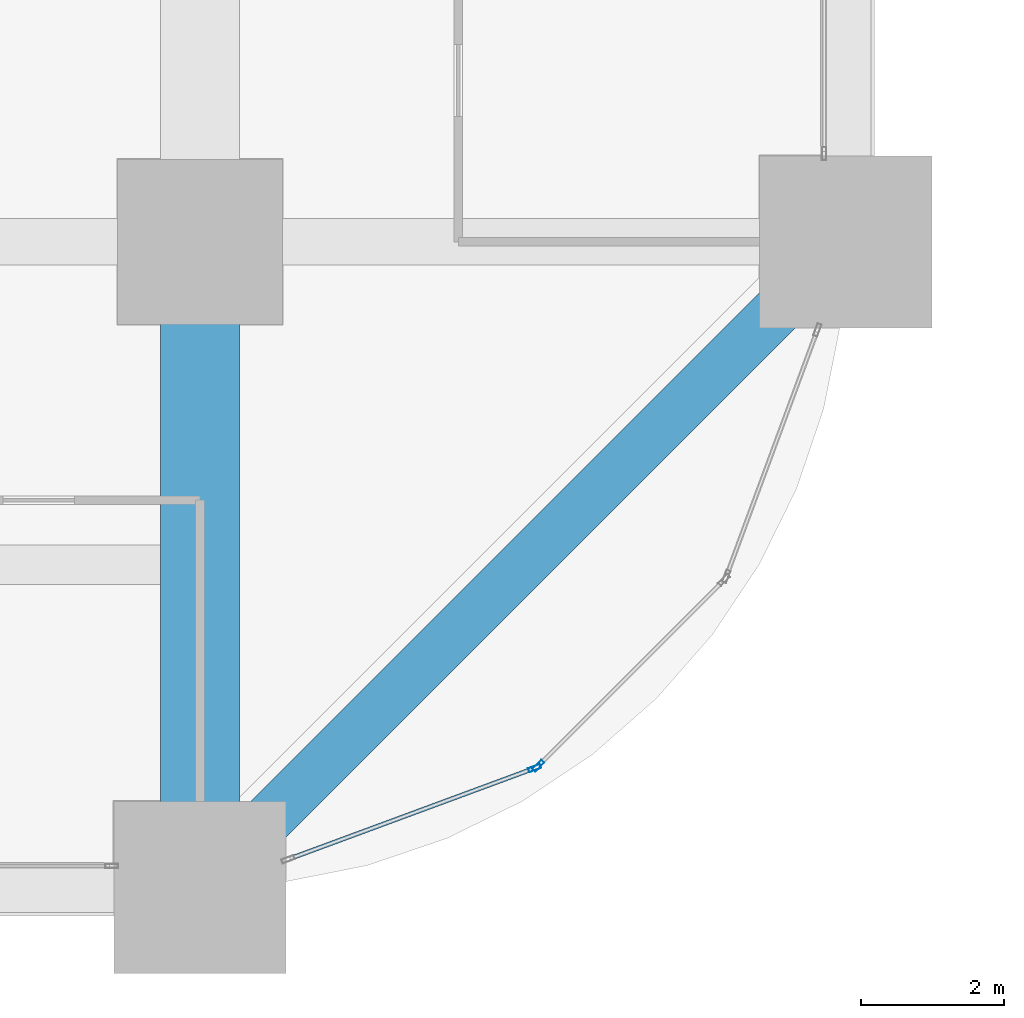
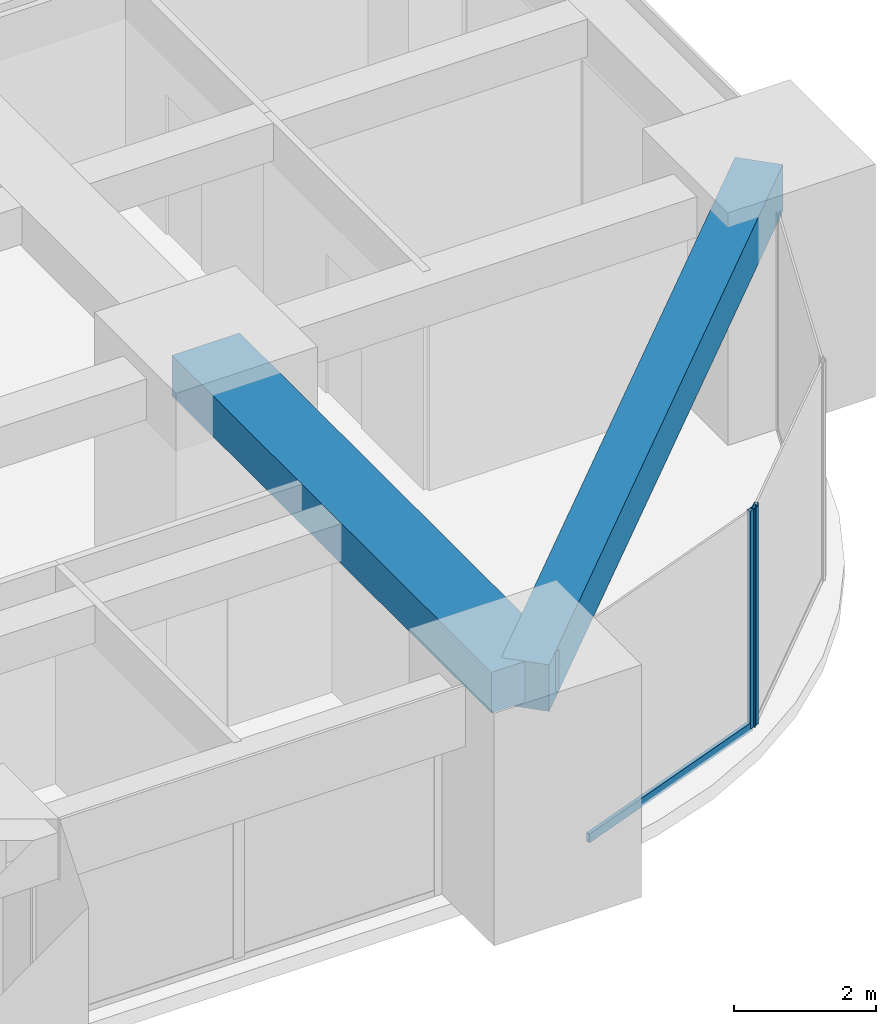
# One storey, part 14 of 39: 3 members, 2 beams, 2 elements without a shape of their own.
"""IFC4 building model written with IfcOpenShell, lengths in metres."""

from ifc_helpers import new_model, si_unit, direction, frame, origin, origin_2d, place, context, subcontext, project, spatial, rectangle, hollow_rectangle, extrude, material, material_profile, profile_set, type_object, element, aggregate, save


model = new_model("IFC4")

# Units and contexts
model_context = context("Model", 3, precision=1e-05, world=origin(), true_north=direction((0.0, 1.0)))
body_context = subcontext(model_context, "Body", "Model", "MODEL_VIEW")
ifc_project = project(units=[si_unit("LENGTHUNIT", "METRE"), si_unit("AREAUNIT", "SQUARE_METRE"), si_unit("VOLUMEUNIT", "CUBIC_METRE"), si_unit("PLANEANGLEUNIT", "RADIAN"), si_unit("MASSUNIT", "GRAM", prefix="KILO")], contexts=[model_context])

# Site, building, storey
site_placement = place(None, origin())
site = spatial("IfcSite", under=ifc_project, at=site_placement, CompositionType="ELEMENT")
building_placement = place(site_placement, origin())
building = spatial("IfcBuilding", under=site, at=building_placement, Name="Zorevar Civic Tower", CompositionType="ELEMENT")
storey_placement = place(building_placement, frame((0.0, 0.0, 19.800048828125)))
storey = spatial("IfcBuildingStorey", under=building, at=storey_placement, Name="L04", CompositionType="ELEMENT", Elevation=19.800048828125)

# Beam
ifc_material_1 = material(Name="Concrete C50/60", Category="concrete")
ifc_material_profile_1 = material_profile(ifc_material_1, rectangle(XDim=1.10009765625, YDim=0.699951171875, at=origin_2d()), Name="RC 1100x700")
ifc_profile_set_1 = profile_set([ifc_material_profile_1], Name="Concrete C50/60")
beam_type_1 = type_object("IfcBeamType", Name="Beam RC 1100x700", PredefinedType="BEAM", material=ifc_profile_set_1)
beam_1_placement = place(storey_placement, frame((54.0, 0.0, 3.39990234375), z_axis=(0.0, 1.0, 0.0), x_axis=(-1.0, 0.0, 0.0)))
element("IfcBeam", 1, at=beam_1_placement, inside=storey, type_object=beam_type_1, Name="Girder L05", PredefinedType="BEAM", context=body_context, shape_type="SweptSolid", body=[
    extrude(rectangle(XDim=1.10009765625, YDim=0.699951171875, at=origin_2d()), origin(), (0.0, 0.0, 1.0), 9.0),
])

# Curtain wall, member
ifc_material_2 = material(Name="Dark grey solar-control glass in black aluminium frame", Category="aluminium")
curtain_wall_type = type_object("IfcCurtainWallType", Name="Curtain wall CW2 low zone", PredefinedType="NOTDEFINED", material=ifc_material_2)
curtain_wall_1_placement = place(storey_placement, origin())
curtain_wall_1 = element("IfcCurtainWall", 2, at=curtain_wall_1_placement, inside=storey, type_object=curtain_wall_type, Name="CW2 L04", PredefinedType="NOTDEFINED")
ifc_material_3 = material(Name="Aluminium, black anodised", Category="aluminium")
ifc_material_profile_2 = material_profile(ifc_material_3, hollow_rectangle(XDim=0.06005859375, YDim=0.179931640625, WallThickness=0.00390625, at=origin_2d()), Name="AL 180x60x4")
ifc_profile_set_2 = profile_set([ifc_material_profile_2], Name="Aluminium, black anodised")
member_type_1 = type_object("IfcMemberType", Name="CW2 mullion AL 180x60x4", PredefinedType="MULLION", material=ifc_profile_set_2)
member_1_placement = place(storey_placement, frame((58.66455078125, 1.663818359375, 0.0), z_axis=(0.0, 0.0, 1.0), x_axis=(-0.346704012033, 0.937974588163, 0.0)))
member_1 = element("IfcMember", 3, at=member_1_placement, type_object=member_type_1, Name="CW2 mullion 2", PredefinedType="MULLION", context=body_context, shape_type="SweptSolid", body=[
    extrude(hollow_rectangle(XDim=0.06005859375, YDim=0.179931640625, WallThickness=0.00390625, at=origin_2d()), origin(), (0.0, 0.0, 1.0), 3.75),
])

curtain_wall_2_placement = place(storey_placement, origin())
curtain_wall_2 = element("IfcCurtainWall", 4, at=curtain_wall_2_placement, inside=storey, type_object=curtain_wall_type, Name="CW2 L04", PredefinedType="NOTDEFINED")
member_2_placement = place(storey_placement, frame((58.7138671875, 1.6953125, 0.0), z_axis=(0.0, 0.0, 1.0), x_axis=(-0.707106781187, 0.707106781187, 0.0)))
member_2 = element("IfcMember", 5, at=member_2_placement, type_object=member_type_1, Name="CW2 mullion 1", PredefinedType="MULLION", context=body_context, shape_type="SweptSolid", body=[
    extrude(hollow_rectangle(XDim=0.06005859375, YDim=0.179931640625, WallThickness=0.00390625, at=origin_2d()), origin(), (0.0, 0.0, 1.0), 3.75),
])
aggregate(curtain_wall_2, [member_2])

# Member
ifc_material_4 = material(Name="Aluminium, black anodised", Category="aluminium")
ifc_material_profile_3 = material_profile(ifc_material_4, hollow_rectangle(XDim=0.06005859375, YDim=0.14990234375, WallThickness=0.00390625, at=origin_2d()), Name="AL 150x60x4")
ifc_profile_set_3 = profile_set([ifc_material_profile_3], Name="Aluminium, black anodised")
member_type_2 = type_object("IfcMemberType", Name="CW2 transom AL 150x60x4", PredefinedType="USERDEFINED", material=ifc_profile_set_3)
member_3_placement = place(storey_placement, frame((55.25634765625, 0.404052734375, 0.030029296875), z_axis=(0.93798635741, 0.346672169799, 0.0), x_axis=(-0.346672169799, 0.93798635741, 0.0)))
member_3 = element("IfcMember", 6, at=member_3_placement, type_object=member_type_2, Name="CW2 sill transom", ObjectType="TRANSOM", PredefinedType="USERDEFINED", context=body_context, shape_type="SweptSolid", body=[
    extrude(hollow_rectangle(XDim=0.06005859375, YDim=0.14990234375, WallThickness=0.00390625, at=origin_2d()), origin(), (0.0, 0.0, 1.0), 3.603515625),
])

aggregate(curtain_wall_1, [member_1, member_3])

# Beam
ifc_material_5 = material(Name="Concrete C50/60", Category="concrete")
ifc_material_profile_4 = material_profile(ifc_material_5, rectangle(XDim=0.699951171875, YDim=0.800048828125, at=origin_2d()), Name="RC 700x800")
ifc_profile_set_4 = profile_set([ifc_material_profile_4], Name="Concrete C50/60")
beam_type_2 = type_object("IfcBeamType", Name="Edge beam RC 700x800", PredefinedType="SPANDREL", material=ifc_profile_set_4)
beam_2_placement = place(storey_placement, frame((54.0, 0.0, 3.349853515625), z_axis=(0.707106781187, 0.707106781187, 0.0), x_axis=(-0.707106781187, 0.707106781187, 0.0)))
element("IfcBeam", 7, at=beam_2_placement, inside=storey, type_object=beam_type_2, Name="Corner edge beam L05", PredefinedType="SPANDREL", context=body_context, shape_type="SweptSolid", body=[
    extrude(rectangle(XDim=0.699951171875, YDim=0.800048828125, at=origin_2d()), origin(), (0.0, 0.0, 1.0), 12.72802734375),
])

save(model, "model.ifc")
